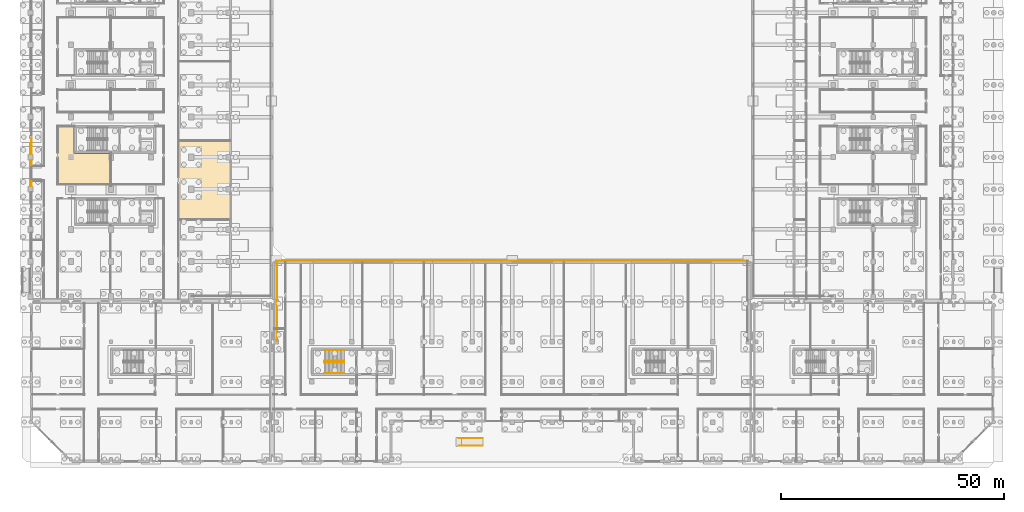
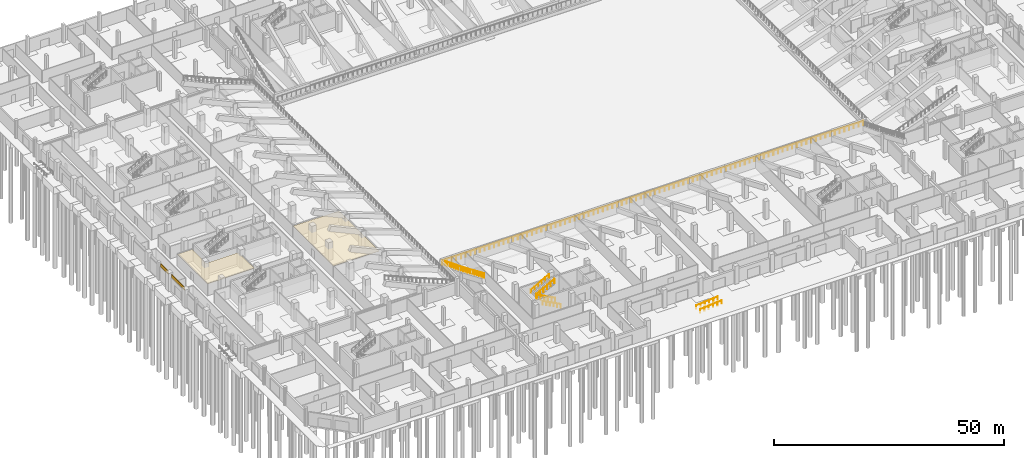
# One storey, part 43 of 53: 7 railings, 4 coverings.
"""IFC4 building model written with IfcOpenShell, lengths in metres."""

from ifc_helpers import new_model, si_unit, direction, frame, origin, origin_2d, place, context, subcontext, project, spatial, polyline, rectangle, circle, outline, extrude, material, layer, layer_set, type_object, element, save


model = new_model("IFC4")

# Units and contexts
model_context = context("Model", 3, precision=1e-05, world=origin(), true_north=direction((0.0, 1.0)))
body_context = subcontext(model_context, "Body", "Model", "MODEL_VIEW")
ifc_project = project(units=[si_unit("LENGTHUNIT", "METRE"), si_unit("AREAUNIT", "SQUARE_METRE"), si_unit("VOLUMEUNIT", "CUBIC_METRE"), si_unit("PLANEANGLEUNIT", "RADIAN"), si_unit("MASSUNIT", "GRAM", prefix="KILO"), si_unit("THERMODYNAMICTEMPERATUREUNIT", "KELVIN"), si_unit("POWERUNIT", "WATT")], contexts=[model_context])

# Site, building, storey
site_placement = place(None, origin())
site = spatial("IfcSite", under=ifc_project, at=site_placement, CompositionType="ELEMENT")
building_placement = place(site_placement, origin())
building = spatial("IfcBuilding", under=site, at=building_placement, Name="Sindhuravela Promenade Stadium", CompositionType="ELEMENT")
storey_placement = place(building_placement, origin())
storey = spatial("IfcBuildingStorey", under=building, at=storey_placement, Name="L00", CompositionType="ELEMENT", Elevation=0.0)

# Coverings
ifc_material_1 = material(Name="Acoustic mineral-fibre ceiling tile", Category="gypsum")
ifc_layer_1 = layer(ifc_material_1, 0.02490234375)
ifc_layer_set_1 = layer_set([ifc_layer_1], Name="Acoustic mineral-fibre ceiling tile")
covering_type_1 = type_object("IfcCoveringType", Name="CV-CEIL-1", PredefinedType="CEILING", material=ifc_layer_set_1)
covering_1_placement = place(storey_placement, frame((0.0, 0.0, 3.050048828125)))
element("IfcCovering", 1, at=covering_1_placement, inside=storey, type_object=covering_type_1, Name="Acoustic ceiling Indoor Player Warm-Up Hall", PredefinedType="CEILING", context=body_context, shape_type="SweptSolid", body=[
    extrude(outline(polyline([(44.699951171875, 54.4619140625), (44.699951171875, 54.4599609375), (44.69970703125, 54.4580078125), (44.69921875, 54.456298828125), (44.698486328125, 54.454345703125), (44.697509765625, 54.45263671875), (44.696533203125, 54.450927734375), (44.695556640625, 54.44921875), (44.694091796875, 54.447998046875), (44.692626953125, 54.446533203125), (44.691162109375, 54.4453125), (44.689453125, 54.4443359375), (44.687744140625, 54.443603515625), (44.685791015625, 54.44287109375), (44.683837890625, 54.4423828125), (44.681884765625, 54.442138671875), (44.679931640625, 54.44189453125), (33.139892578125, 54.44189453125), (33.137939453125, 54.442138671875), (33.135986328125, 54.4423828125), (33.13427734375, 54.44287109375), (33.13232421875, 54.443603515625), (33.130615234375, 54.4443359375), (33.12890625, 54.4453125), (33.127197265625, 54.446533203125), (33.1259765625, 54.447998046875), (33.12451171875, 54.44921875), (33.123291015625, 54.450927734375), (33.122314453125, 54.45263671875), (33.12158203125, 54.454345703125), (33.120849609375, 54.456298828125), (33.120361328125, 54.4580078125), (33.1201171875, 54.4599609375), (33.1201171875, 54.4619140625), (33.1201171875, 71.993896484375), (33.1201171875, 71.99609375), (33.120361328125, 71.997802734375), (33.120849609375, 71.999755859375), (33.12158203125, 72.001708984375), (33.122314453125, 72.00341796875), (33.123291015625, 72.005126953125), (33.12451171875, 72.006591796875), (33.1259765625, 72.008056640625), (33.127197265625, 72.009521484375), (33.12890625, 72.010498046875), (33.130615234375, 72.01171875), (33.13232421875, 72.012451171875), (33.13427734375, 72.01318359375), (33.135986328125, 72.013671875), (33.137939453125, 72.013916015625), (33.139892578125, 72.013916015625), (44.679931640625, 72.013916015625), (44.681884765625, 72.013916015625), (44.683837890625, 72.013671875), (44.685791015625, 72.01318359375), (44.687744140625, 72.012451171875), (44.689453125, 72.01171875), (44.691162109375, 72.010498046875), (44.692626953125, 72.009521484375), (44.694091796875, 72.008056640625), (44.695556640625, 72.006591796875), (44.696533203125, 72.005126953125), (44.697509765625, 72.00341796875), (44.698486328125, 72.001708984375), (44.69921875, 71.999755859375), (44.69970703125, 71.997802734375), (44.699951171875, 71.99609375), (44.699951171875, 71.993896484375), (44.699951171875, 54.4619140625)])), origin(), (0.0, 0.0, 1.0), 0.02490234375),
])
ifc_layer_2 = layer(ifc_material_1, 0.044921875)
ifc_layer_set_2 = layer_set([ifc_layer_2], Name="Acoustic mineral-fibre ceiling tile")
covering_type_2 = type_object("IfcCoveringType", Name="CV-CEIL-2", PredefinedType="CEILING", material=ifc_layer_set_2)
covering_2_placement = place(storey_placement, frame((0.0, 0.0, 3.050048828125)))
element("IfcCovering", 2, at=covering_2_placement, inside=storey, type_object=covering_type_2, Name="Acoustic ceiling Team Shower and Sanitary Block", PredefinedType="CEILING", context=body_context, shape_type="SweptSolid", body=[
    extrude(outline(polyline([(6.0400390625, 62.27001953125), (6.0380859375, 62.27001953125), (6.0361328125, 62.2705078125), (6.0341796875, 62.27099609375), (6.0322265625, 62.271484375), (6.030517578125, 62.2724609375), (6.02880859375, 62.2734375), (6.02734375, 62.2744140625), (6.02587890625, 62.27587890625), (6.0244140625, 62.27734375), (6.0234375, 62.27880859375), (6.0224609375, 62.280517578125), (6.021484375, 62.2822265625), (6.02099609375, 62.2841796875), (6.0205078125, 62.2861328125), (6.02001953125, 62.2880859375), (6.02001953125, 62.2900390625), (6.02001953125, 75.31005859375), (6.02001953125, 75.31201171875), (6.0205078125, 75.31396484375), (6.02099609375, 75.31591796875), (6.021484375, 75.317626953125), (6.0224609375, 75.3193359375), (6.0234375, 75.321044921875), (6.0244140625, 75.32275390625), (6.02587890625, 75.32421875), (6.02734375, 75.325439453125), (6.02880859375, 75.32666015625), (6.030517578125, 75.32763671875), (6.0322265625, 75.32861328125), (6.0341796875, 75.3291015625), (6.0361328125, 75.32958984375), (6.0380859375, 75.329833984375), (6.0400390625, 75.330078125), (9.699951171875, 75.330078125), (9.701904296875, 75.329833984375), (9.703857421875, 75.32958984375), (9.705810546875, 75.3291015625), (9.707763671875, 75.32861328125), (9.70947265625, 75.32763671875), (9.711181640625, 75.32666015625), (9.712646484375, 75.325439453125), (9.714111328125, 75.32421875), (9.715576171875, 75.32275390625), (9.716552734375, 75.321044921875), (9.717529296875, 75.3193359375), (9.718505859375, 75.317626953125), (9.718994140625, 75.31591796875), (9.719482421875, 75.31396484375), (9.719970703125, 75.31201171875), (9.719970703125, 75.31005859375), (9.719970703125, 69.219970703125), (17.830078125, 69.219970703125), (17.83203125, 69.219970703125), (17.833984375, 69.219482421875), (17.835693359375, 69.218994140625), (17.837646484375, 69.218505859375), (17.83935546875, 69.217529296875), (17.841064453125, 69.216552734375), (17.8427734375, 69.215576171875), (17.843994140625, 69.214111328125), (17.845458984375, 69.212646484375), (17.8466796875, 69.211181640625), (17.84765625, 69.20947265625), (17.848388671875, 69.207763671875), (17.84912109375, 69.205810546875), (17.849609375, 69.203857421875), (17.849853515625, 69.201904296875), (17.85009765625, 69.199951171875), (17.85009765625, 62.2900390625), (17.849853515625, 62.2880859375), (17.849609375, 62.2861328125), (17.84912109375, 62.2841796875), (17.848388671875, 62.2822265625), (17.84765625, 62.280517578125), (17.8466796875, 62.27880859375), (17.845458984375, 62.27734375), (17.843994140625, 62.27587890625), (17.8427734375, 62.2744140625), (17.841064453125, 62.2734375), (17.83935546875, 62.2724609375), (17.837646484375, 62.271484375), (17.835693359375, 62.27099609375), (17.833984375, 62.2705078125), (17.83203125, 62.27001953125), (17.830078125, 62.27001953125), (6.0400390625, 62.27001953125)])), origin(), (0.0, 0.0, 1.0), 0.044921875),
])
ifc_material_2 = material(Name="Polychrome trencadis ceramic mosaic", Category="masonry")
ifc_layer_3 = layer(ifc_material_2, 0.034912109375)
ifc_layer_set_3 = layer_set([ifc_layer_3], Name="Polychrome trencadis ceramic mosaic")
covering_type_3 = type_object("IfcCoveringType", Name="CV-TRENC-1", PredefinedType="CLADDING", material=ifc_layer_set_3)
covering_3_placement = place(storey_placement, frame((0.179931640625, 64.800048828125, 3.55517578125), z_axis=(0.0, 0.0, 1.0), x_axis=(0.0, 1.0, 0.0)))
element("IfcCovering", 3, at=covering_3_placement, inside=storey, type_object=covering_type_3, Name="Trencadis ceramic mosaic spandrel frieze WEST L00-4", PredefinedType="CLADDING", context=body_context, shape_type="SweptSolid", body=[
    extrude(rectangle(XDim=5.77001953125, YDim=0.034912109375, at=origin_2d()), origin(), (0.0, 0.0, 1.0), 0.905029296875),
])
ifc_layer_4 = layer(ifc_material_2, 0.050048828125)
ifc_layer_set_4 = layer_set([ifc_layer_4], Name="Polychrome trencadis ceramic mosaic")
covering_type_4 = type_object("IfcCoveringType", Name="CV-TRENC-2", PredefinedType="CLADDING", material=ifc_layer_set_4)
covering_4_placement = place(storey_placement, frame((0.179931640625, 70.800048828125, 3.55517578125), z_axis=(0.0, 0.0, 1.0), x_axis=(0.0, 1.0, 0.0)))
element("IfcCovering", 4, at=covering_4_placement, inside=storey, type_object=covering_type_4, Name="Trencadis ceramic mosaic spandrel frieze WEST L00-5", PredefinedType="CLADDING", context=body_context, shape_type="SweptSolid", body=[
    extrude(rectangle(XDim=3.3701171875, YDim=0.050048828125, at=origin_2d()), origin(), (0.0, 0.0, 1.0), 0.905029296875),
])

# Railings
ifc_material_3 = material(Name="Architectural wrought steel E350", Category="steel")
railing_type_1 = type_object("IfcRailingType", Name="RL-GRD-1150", PredefinedType="GUARDRAIL", material=ifc_material_3)
railing_1_placement = place(storey_placement, frame((55.10009765625, 45.10009765625, 1.449951171875)))
element("IfcRailing", 5, at=railing_1_placement, inside=storey, type_object=railing_type_1, Name="Stand bowl crowd barrier GR01-97", PredefinedType="GUARDRAIL", context=body_context, shape_type="SweptSolid", body=[
    extrude(circle(Radius=0.02392578125, at=origin_2d()), frame((0.0, 0.0, 1.1259765625), z_axis=(1.0, 0.0, 0.0), x_axis=(0.0, 1.0, 0.0)), (0.0, 0.0, 1.0), 105.7998046875),
    extrude(circle(Radius=0.02099609375, at=origin_2d()), origin(), (0.0, 0.0, 1.0), 1.101806640625),
    extrude(circle(Radius=0.02099609375, at=origin_2d()), frame((1.188720703125, 0.0, 0.0)), (0.0, 0.0, 1.0), 1.101806640625),
    extrude(circle(Radius=0.02099609375, at=origin_2d()), frame((2.37744140625, 0.0, 0.0)), (0.0, 0.0, 1.0), 1.101806640625),
    extrude(circle(Radius=0.02099609375, at=origin_2d()), frame((3.56640625, 0.0, 0.0)), (0.0, 0.0, 1.0), 1.101806640625),
    extrude(circle(Radius=0.02099609375, at=origin_2d()), frame((4.755126953125, 0.0, 0.0)), (0.0, 0.0, 1.0), 1.101806640625),
    extrude(circle(Radius=0.02099609375, at=origin_2d()), frame((5.94384765625, 0.0, 0.0)), (0.0, 0.0, 1.0), 1.101806640625),
    extrude(circle(Radius=0.02099609375, at=origin_2d()), frame((7.132568359375, 0.0, 0.0)), (0.0, 0.0, 1.0), 1.101806640625),
    extrude(circle(Radius=0.02099609375, at=origin_2d()), frame((8.3212890625, 0.0, 0.0)), (0.0, 0.0, 1.0), 1.101806640625),
    extrude(circle(Radius=0.02099609375, at=origin_2d()), frame((9.510009765625, 0.0, 0.0)), (0.0, 0.0, 1.0), 1.101806640625),
    extrude(circle(Radius=0.02099609375, at=origin_2d()), frame((10.698974609375, 0.0, 0.0)), (0.0, 0.0, 1.0), 1.101806640625),
    extrude(circle(Radius=0.02099609375, at=origin_2d()), frame((11.8876953125, 0.0, 0.0)), (0.0, 0.0, 1.0), 1.101806640625),
    extrude(circle(Radius=0.02099609375, at=origin_2d()), frame((13.076416015625, 0.0, 0.0)), (0.0, 0.0, 1.0), 1.101806640625),
    extrude(circle(Radius=0.02099609375, at=origin_2d()), frame((14.26513671875, 0.0, 0.0)), (0.0, 0.0, 1.0), 1.101806640625),
    extrude(circle(Radius=0.02099609375, at=origin_2d()), frame((15.453857421875, 0.0, 0.0)), (0.0, 0.0, 1.0), 1.101806640625),
    extrude(circle(Radius=0.02099609375, at=origin_2d()), frame((16.642578125, 0.0, 0.0)), (0.0, 0.0, 1.0), 1.101806640625),
    extrude(circle(Radius=0.02099609375, at=origin_2d()), frame((17.83154296875, 0.0, 0.0)), (0.0, 0.0, 1.0), 1.101806640625),
    extrude(circle(Radius=0.02099609375, at=origin_2d()), frame((19.020263671875, 0.0, 0.0)), (0.0, 0.0, 1.0), 1.101806640625),
    extrude(circle(Radius=0.02099609375, at=origin_2d()), frame((20.208984375, 0.0, 0.0)), (0.0, 0.0, 1.0), 1.101806640625),
    extrude(circle(Radius=0.02099609375, at=origin_2d()), frame((21.397705078125, 0.0, 0.0)), (0.0, 0.0, 1.0), 1.101806640625),
    extrude(circle(Radius=0.02099609375, at=origin_2d()), frame((22.58642578125, 0.0, 0.0)), (0.0, 0.0, 1.0), 1.101806640625),
    extrude(circle(Radius=0.02099609375, at=origin_2d()), frame((23.775146484375, 0.0, 0.0)), (0.0, 0.0, 1.0), 1.101806640625),
    extrude(circle(Radius=0.02099609375, at=origin_2d()), frame((24.964111328125, 0.0, 0.0)), (0.0, 0.0, 1.0), 1.101806640625),
    extrude(circle(Radius=0.02099609375, at=origin_2d()), frame((26.15283203125, 0.0, 0.0)), (0.0, 0.0, 1.0), 1.101806640625),
    extrude(circle(Radius=0.02099609375, at=origin_2d()), frame((27.341552734375, 0.0, 0.0)), (0.0, 0.0, 1.0), 1.101806640625),
    extrude(circle(Radius=0.02099609375, at=origin_2d()), frame((28.5302734375, 0.0, 0.0)), (0.0, 0.0, 1.0), 1.101806640625),
    extrude(circle(Radius=0.02099609375, at=origin_2d()), frame((29.718994140625, 0.0, 0.0)), (0.0, 0.0, 1.0), 1.101806640625),
    extrude(circle(Radius=0.02099609375, at=origin_2d()), frame((30.90771484375, 0.0, 0.0)), (0.0, 0.0, 1.0), 1.101806640625),
    extrude(circle(Radius=0.02099609375, at=origin_2d()), frame((32.0966796875, 0.0, 0.0)), (0.0, 0.0, 1.0), 1.101806640625),
    extrude(circle(Radius=0.02099609375, at=origin_2d()), frame((33.285400390625, 0.0, 0.0)), (0.0, 0.0, 1.0), 1.101806640625),
    extrude(circle(Radius=0.02099609375, at=origin_2d()), frame((34.47412109375, 0.0, 0.0)), (0.0, 0.0, 1.0), 1.101806640625),
    extrude(circle(Radius=0.02099609375, at=origin_2d()), frame((35.662841796875, 0.0, 0.0)), (0.0, 0.0, 1.0), 1.101806640625),
    extrude(circle(Radius=0.02099609375, at=origin_2d()), frame((36.8515625, 0.0, 0.0)), (0.0, 0.0, 1.0), 1.101806640625),
    extrude(circle(Radius=0.02099609375, at=origin_2d()), frame((38.040283203125, 0.0, 0.0)), (0.0, 0.0, 1.0), 1.101806640625),
    extrude(circle(Radius=0.02099609375, at=origin_2d()), frame((39.229248046875, 0.0, 0.0)), (0.0, 0.0, 1.0), 1.101806640625),
    extrude(circle(Radius=0.02099609375, at=origin_2d()), frame((40.41796875, 0.0, 0.0)), (0.0, 0.0, 1.0), 1.101806640625),
    extrude(circle(Radius=0.02099609375, at=origin_2d()), frame((41.606689453125, 0.0, 0.0)), (0.0, 0.0, 1.0), 1.101806640625),
    extrude(circle(Radius=0.02099609375, at=origin_2d()), frame((42.79541015625, 0.0, 0.0)), (0.0, 0.0, 1.0), 1.101806640625),
    extrude(circle(Radius=0.02099609375, at=origin_2d()), frame((43.984130859375, 0.0, 0.0)), (0.0, 0.0, 1.0), 1.101806640625),
    extrude(circle(Radius=0.02099609375, at=origin_2d()), frame((45.1728515625, 0.0, 0.0)), (0.0, 0.0, 1.0), 1.101806640625),
    extrude(circle(Radius=0.02099609375, at=origin_2d()), frame((46.36181640625, 0.0, 0.0)), (0.0, 0.0, 1.0), 1.101806640625),
    extrude(circle(Radius=0.02099609375, at=origin_2d()), frame((47.550537109375, 0.0, 0.0)), (0.0, 0.0, 1.0), 1.101806640625),
    extrude(circle(Radius=0.02099609375, at=origin_2d()), frame((48.7392578125, 0.0, 0.0)), (0.0, 0.0, 1.0), 1.101806640625),
    extrude(circle(Radius=0.02099609375, at=origin_2d()), frame((49.927978515625, 0.0, 0.0)), (0.0, 0.0, 1.0), 1.101806640625),
    extrude(circle(Radius=0.02099609375, at=origin_2d()), frame((51.11669921875, 0.0, 0.0)), (0.0, 0.0, 1.0), 1.101806640625),
    extrude(circle(Radius=0.02099609375, at=origin_2d()), frame((52.305419921875, 0.0, 0.0)), (0.0, 0.0, 1.0), 1.101806640625),
    extrude(circle(Radius=0.02099609375, at=origin_2d()), frame((53.494384765625, 0.0, 0.0)), (0.0, 0.0, 1.0), 1.101806640625),
    extrude(circle(Radius=0.02099609375, at=origin_2d()), frame((54.68310546875, 0.0, 0.0)), (0.0, 0.0, 1.0), 1.101806640625),
    extrude(circle(Radius=0.02099609375, at=origin_2d()), frame((55.871826171875, 0.0, 0.0)), (0.0, 0.0, 1.0), 1.101806640625),
    extrude(circle(Radius=0.02099609375, at=origin_2d()), frame((57.060546875, 0.0, 0.0)), (0.0, 0.0, 1.0), 1.101806640625),
    extrude(circle(Radius=0.02099609375, at=origin_2d()), frame((58.249267578125, 0.0, 0.0)), (0.0, 0.0, 1.0), 1.101806640625),
    extrude(circle(Radius=0.02099609375, at=origin_2d()), frame((59.43798828125, 0.0, 0.0)), (0.0, 0.0, 1.0), 1.101806640625),
    extrude(circle(Radius=0.02099609375, at=origin_2d()), frame((60.626953125, 0.0, 0.0)), (0.0, 0.0, 1.0), 1.101806640625),
    extrude(circle(Radius=0.02099609375, at=origin_2d()), frame((61.815673828125, 0.0, 0.0)), (0.0, 0.0, 1.0), 1.101806640625),
    extrude(circle(Radius=0.02099609375, at=origin_2d()), frame((63.00439453125, 0.0, 0.0)), (0.0, 0.0, 1.0), 1.101806640625),
    extrude(circle(Radius=0.02099609375, at=origin_2d()), frame((64.193115234375, 0.0, 0.0)), (0.0, 0.0, 1.0), 1.101806640625),
    extrude(circle(Radius=0.02099609375, at=origin_2d()), frame((65.3818359375, 0.0, 0.0)), (0.0, 0.0, 1.0), 1.101806640625),
    extrude(circle(Radius=0.02099609375, at=origin_2d()), frame((66.570556640625, 0.0, 0.0)), (0.0, 0.0, 1.0), 1.101806640625),
    extrude(circle(Radius=0.02099609375, at=origin_2d()), frame((67.759521484375, 0.0, 0.0)), (0.0, 0.0, 1.0), 1.101806640625),
    extrude(circle(Radius=0.02099609375, at=origin_2d()), frame((68.9482421875, 0.0, 0.0)), (0.0, 0.0, 1.0), 1.101806640625),
    extrude(circle(Radius=0.02099609375, at=origin_2d()), frame((70.136962890625, 0.0, 0.0)), (0.0, 0.0, 1.0), 1.101806640625),
    extrude(circle(Radius=0.02099609375, at=origin_2d()), frame((71.32568359375, 0.0, 0.0)), (0.0, 0.0, 1.0), 1.101806640625),
    extrude(circle(Radius=0.02099609375, at=origin_2d()), frame((72.514404296875, 0.0, 0.0)), (0.0, 0.0, 1.0), 1.101806640625),
    extrude(circle(Radius=0.02099609375, at=origin_2d()), frame((73.703125, 0.0, 0.0)), (0.0, 0.0, 1.0), 1.101806640625),
    extrude(circle(Radius=0.02099609375, at=origin_2d()), frame((74.89208984375, 0.0, 0.0)), (0.0, 0.0, 1.0), 1.101806640625),
    extrude(circle(Radius=0.02099609375, at=origin_2d()), frame((76.080810546875, 0.0, 0.0)), (0.0, 0.0, 1.0), 1.101806640625),
    extrude(circle(Radius=0.02099609375, at=origin_2d()), frame((77.26953125, 0.0, 0.0)), (0.0, 0.0, 1.0), 1.101806640625),
    extrude(circle(Radius=0.02099609375, at=origin_2d()), frame((78.458251953125, 0.0, 0.0)), (0.0, 0.0, 1.0), 1.101806640625),
    extrude(circle(Radius=0.02099609375, at=origin_2d()), frame((79.64697265625, 0.0, 0.0)), (0.0, 0.0, 1.0), 1.101806640625),
    extrude(circle(Radius=0.02099609375, at=origin_2d()), frame((80.835693359375, 0.0, 0.0)), (0.0, 0.0, 1.0), 1.101806640625),
    extrude(circle(Radius=0.02099609375, at=origin_2d()), frame((82.024658203125, 0.0, 0.0)), (0.0, 0.0, 1.0), 1.101806640625),
    extrude(circle(Radius=0.02099609375, at=origin_2d()), frame((83.21337890625, 0.0, 0.0)), (0.0, 0.0, 1.0), 1.101806640625),
    extrude(circle(Radius=0.02099609375, at=origin_2d()), frame((84.402099609375, 0.0, 0.0)), (0.0, 0.0, 1.0), 1.101806640625),
    extrude(circle(Radius=0.02099609375, at=origin_2d()), frame((85.5908203125, 0.0, 0.0)), (0.0, 0.0, 1.0), 1.101806640625),
    extrude(circle(Radius=0.02099609375, at=origin_2d()), frame((86.779541015625, 0.0, 0.0)), (0.0, 0.0, 1.0), 1.101806640625),
    extrude(circle(Radius=0.02099609375, at=origin_2d()), frame((87.96826171875, 0.0, 0.0)), (0.0, 0.0, 1.0), 1.101806640625),
    extrude(circle(Radius=0.02099609375, at=origin_2d()), frame((89.1572265625, 0.0, 0.0)), (0.0, 0.0, 1.0), 1.101806640625),
    extrude(circle(Radius=0.02099609375, at=origin_2d()), frame((90.345947265625, 0.0, 0.0)), (0.0, 0.0, 1.0), 1.101806640625),
    extrude(circle(Radius=0.02099609375, at=origin_2d()), frame((91.53466796875, 0.0, 0.0)), (0.0, 0.0, 1.0), 1.101806640625),
    extrude(circle(Radius=0.02099609375, at=origin_2d()), frame((92.723388671875, 0.0, 0.0)), (0.0, 0.0, 1.0), 1.101806640625),
    extrude(circle(Radius=0.02099609375, at=origin_2d()), frame((93.912109375, 0.0, 0.0)), (0.0, 0.0, 1.0), 1.101806640625),
    extrude(circle(Radius=0.02099609375, at=origin_2d()), frame((95.100830078125, 0.0, 0.0)), (0.0, 0.0, 1.0), 1.101806640625),
    extrude(circle(Radius=0.02099609375, at=origin_2d()), frame((96.289794921875, 0.0, 0.0)), (0.0, 0.0, 1.0), 1.101806640625),
    extrude(circle(Radius=0.02099609375, at=origin_2d()), frame((97.478515625, 0.0, 0.0)), (0.0, 0.0, 1.0), 1.101806640625),
    extrude(circle(Radius=0.02099609375, at=origin_2d()), frame((98.667236328125, 0.0, 0.0)), (0.0, 0.0, 1.0), 1.101806640625),
    extrude(circle(Radius=0.02099609375, at=origin_2d()), frame((99.85595703125, 0.0, 0.0)), (0.0, 0.0, 1.0), 1.101806640625),
    extrude(circle(Radius=0.02099609375, at=origin_2d()), frame((101.044677734375, 0.0, 0.0)), (0.0, 0.0, 1.0), 1.101806640625),
    extrude(circle(Radius=0.02099609375, at=origin_2d()), frame((102.2333984375, 0.0, 0.0)), (0.0, 0.0, 1.0), 1.101806640625),
    extrude(circle(Radius=0.02099609375, at=origin_2d()), frame((103.42236328125, 0.0, 0.0)), (0.0, 0.0, 1.0), 1.101806640625),
    extrude(circle(Radius=0.02099609375, at=origin_2d()), frame((104.611083984375, 0.0, 0.0)), (0.0, 0.0, 1.0), 1.101806640625),
    extrude(circle(Radius=0.02099609375, at=origin_2d()), frame((105.7998046875, 0.0, 0.0)), (0.0, 0.0, 1.0), 1.101806640625),
])
railing_2_placement = place(storey_placement, frame((55.25, 45.10009765625, 1.449951171875)))
element("IfcRailing", 6, at=railing_2_placement, inside=storey, type_object=railing_type_1, Name="Stand bowl crowd barrier GR01-99", PredefinedType="GUARDRAIL", context=body_context, shape_type="SweptSolid", body=[
    extrude(circle(Radius=0.02392578125, at=origin_2d()), frame((0.0, 0.0, 1.1259765625), z_axis=(0.0, -0.9302463636097077, 0.3669355570000206), x_axis=(1.0, 0.0, 0.0)), (0.0, 0.0, 1.0), 9.6748046875),
    extrude(circle(Radius=0.02392578125, at=origin_2d()), frame((0.0, -9.0, 4.67578125), z_axis=(0.0, -0.9186127990796654, 0.3951588609243405), x_axis=(1.0, 0.0, 0.0)), (0.0, 0.0, 1.0), 9.7431640625),
    extrude(circle(Radius=0.02099609375, at=origin_2d()), origin(), (0.0, 0.0, 1.0), 1.101806640625),
    extrude(circle(Radius=0.02099609375, at=origin_2d()), frame((0.0, -1.0, 0.39453125)), (0.0, 0.0, 1.0), 1.101806640625),
    extrude(circle(Radius=0.02099609375, at=origin_2d()), frame((0.0, -2.0, 0.788818359375)), (0.0, 0.0, 1.0), 1.101806640625),
    extrude(circle(Radius=0.02099609375, at=origin_2d()), frame((0.0, -3.0, 1.183349609375)), (0.0, 0.0, 1.0), 1.101806640625),
    extrude(circle(Radius=0.02099609375, at=origin_2d()), frame((0.0, -4.0, 1.577880859375)), (0.0, 0.0, 1.0), 1.101806640625),
    extrude(circle(Radius=0.02099609375, at=origin_2d()), frame((0.0, -5.0, 1.97216796875)), (0.0, 0.0, 1.0), 1.101806640625),
    extrude(circle(Radius=0.02099609375, at=origin_2d()), frame((0.0, -6.0, 2.36669921875)), (0.0, 0.0, 1.0), 1.101806640625),
    extrude(circle(Radius=0.02099609375, at=origin_2d()), frame((0.0, -7.0, 2.76123046875)), (0.0, 0.0, 1.0), 1.101806640625),
    extrude(circle(Radius=0.02099609375, at=origin_2d()), frame((0.0, -8.0, 3.155517578125)), (0.0, 0.0, 1.0), 1.101806640625),
    extrude(circle(Radius=0.02099609375, at=origin_2d()), frame((0.0, -9.0, 3.550048828125)), (0.0, 0.0, 1.0), 1.101806640625),
    extrude(circle(Radius=0.02099609375, at=origin_2d()), frame((0.0, -9.994384765625, 3.977783203125)), (0.0, 0.0, 1.0), 1.101806640625),
    extrude(circle(Radius=0.02099609375, at=origin_2d()), frame((0.0, -10.989013671875, 4.405517578125)), (0.0, 0.0, 1.0), 1.101806640625),
    extrude(circle(Radius=0.02099609375, at=origin_2d()), frame((0.0, -11.9833984375, 4.83349609375)), (0.0, 0.0, 1.0), 1.101806640625),
    extrude(circle(Radius=0.02099609375, at=origin_2d()), frame((0.0, -12.977783203125, 5.26123046875)), (0.0, 0.0, 1.0), 1.101806640625),
    extrude(circle(Radius=0.02099609375, at=origin_2d()), frame((0.0, -13.972412109375, 5.68896484375)), (0.0, 0.0, 1.0), 1.101806640625),
    extrude(circle(Radius=0.02099609375, at=origin_2d()), frame((0.0, -14.966796875, 6.11669921875)), (0.0, 0.0, 1.0), 1.101806640625),
    extrude(circle(Radius=0.02099609375, at=origin_2d()), frame((0.0, -15.961181640625, 6.544677734375)), (0.0, 0.0, 1.0), 1.101806640625),
    extrude(circle(Radius=0.02099609375, at=origin_2d()), frame((0.0, -16.955810546875, 6.972412109375)), (0.0, 0.0, 1.0), 1.101806640625),
    extrude(circle(Radius=0.02099609375, at=origin_2d()), frame((0.0, -17.9501953125, 7.400146484375)), (0.0, 0.0, 1.0), 1.101806640625),
])
railing_3_placement = place(storey_placement, frame((70.35009765625, 22.31005859375, 0.0)))
element("IfcRailing", 7, at=railing_3_placement, inside=storey, type_object=railing_type_1, Name="Stair ST11 inner well guard (L00)", PredefinedType="GUARDRAIL", context=body_context, shape_type="SweptSolid", body=[
    extrude(circle(Radius=0.02392578125, at=origin_2d()), frame((0.0, 0.0, 1.1259765625), z_axis=(-0.8836546633431795, 0.0, 0.46813933390802775), x_axis=(0.0, -1.0, 0.0)), (0.0, 0.0, 1.0), 5.12646484375),
    extrude(circle(Radius=0.02392578125, at=origin_2d()), frame((-4.530029296875, 0.0, 3.52587890625), z_axis=(0.0, 1.0, 0.0), x_axis=(-1.0, 0.0, 0.0)), (0.0, 0.0, 1.0), 0.3798828125),
    extrude(circle(Radius=0.02392578125, at=origin_2d()), frame((-4.530029296875, 0.3798828125, 3.52587890625), z_axis=(0.8836349624059475, 0.0, 0.46817651928929505), x_axis=(0.0, 1.0, 0.0)), (0.0, 0.0, 1.0), 5.12646484375),
    extrude(circle(Radius=0.02099609375, at=origin_2d()), origin(), (0.0, 0.0, 1.0), 1.101806640625),
    extrude(circle(Radius=0.02099609375, at=origin_2d()), frame((-0.906005859375, 0.0, 0.47998046875)), (0.0, 0.0, 1.0), 1.101806640625),
    extrude(circle(Radius=0.02099609375, at=origin_2d()), frame((-1.81201171875, 0.0, 0.9599609375)), (0.0, 0.0, 1.0), 1.101806640625),
    extrude(circle(Radius=0.02099609375, at=origin_2d()), frame((-2.718017578125, 0.0, 1.43994140625)), (0.0, 0.0, 1.0), 1.101806640625),
    extrude(circle(Radius=0.02099609375, at=origin_2d()), frame((-3.6240234375, 0.0, 1.919921875)), (0.0, 0.0, 1.0), 1.101806640625),
    extrude(circle(Radius=0.02099609375, at=origin_2d()), frame((-4.530029296875, 0.0, 2.39990234375)), (0.0, 0.0, 1.0), 1.101806640625),
    extrude(circle(Radius=0.02099609375, at=origin_2d()), frame((-4.530029296875, 0.3798828125, 2.39990234375)), (0.0, 0.0, 1.0), 1.101806640625),
    extrude(circle(Radius=0.02099609375, at=origin_2d()), frame((-3.6240234375, 0.3798828125, 2.8798828125)), (0.0, 0.0, 1.0), 1.101806640625),
    extrude(circle(Radius=0.02099609375, at=origin_2d()), frame((-2.718017578125, 0.3798828125, 3.35986328125)), (0.0, 0.0, 1.0), 1.101806640625),
    extrude(circle(Radius=0.02099609375, at=origin_2d()), frame((-1.81201171875, 0.3798828125, 3.840087890625)), (0.0, 0.0, 1.0), 1.101806640625),
    extrude(circle(Radius=0.02099609375, at=origin_2d()), frame((-0.906005859375, 0.3798828125, 4.320068359375)), (0.0, 0.0, 1.0), 1.101806640625),
    extrude(circle(Radius=0.02099609375, at=origin_2d()), frame((0.0, 0.3798828125, 4.800048828125)), (0.0, 0.0, 1.0), 1.101806640625),
])
railing_type_2 = type_object("IfcRailingType", Name="RL-HND-920", PredefinedType="HANDRAIL", material=ifc_material_3)
railing_4_placement = place(storey_placement, frame((70.35009765625, 19.919921875, 0.0)))
element("IfcRailing", 8, at=railing_4_placement, inside=storey, type_object=railing_type_2, Name="Stair ST11 lower wall handrail (L00)", PredefinedType="HANDRAIL", context=body_context, shape_type="SweptSolid", body=[
    extrude(circle(Radius=0.02392578125, at=origin_2d()), frame((0.0, 0.0, 0.89599609375), z_axis=(-0.8823608919668723, 0.0, 0.4705733272588083), x_axis=(0.0, -1.0, 0.0)), (0.0, 0.0, 1.0), 5.099853515625),
    extrude(circle(Radius=0.02099609375, at=origin_2d()), origin(), (0.0, 0.0, 1.0), 0.871826171875),
    extrude(circle(Radius=0.02099609375, at=origin_2d()), frame((-0.89990234375, 0.0, 0.47998046875)), (0.0, 0.0, 1.0), 0.871826171875),
    extrude(circle(Radius=0.02099609375, at=origin_2d()), frame((-1.800048828125, 0.0, 0.9599609375)), (0.0, 0.0, 1.0), 0.871826171875),
    extrude(circle(Radius=0.02099609375, at=origin_2d()), frame((-2.699951171875, 0.0, 1.43994140625)), (0.0, 0.0, 1.0), 0.871826171875),
    extrude(circle(Radius=0.02099609375, at=origin_2d()), frame((-3.60009765625, 0.0, 1.919921875)), (0.0, 0.0, 1.0), 0.871826171875),
    extrude(circle(Radius=0.02099609375, at=origin_2d()), frame((-4.5, 0.0, 2.39990234375)), (0.0, 0.0, 1.0), 0.871826171875),
])
railing_5_placement = place(storey_placement, frame((65.85009765625, 25.080078125, 2.39990234375)))
element("IfcRailing", 9, at=railing_5_placement, inside=storey, type_object=railing_type_2, Name="Stair ST11 upper wall handrail (L00)", PredefinedType="HANDRAIL", context=body_context, shape_type="SweptSolid", body=[
    extrude(circle(Radius=0.02392578125, at=origin_2d()), frame((0.0, 0.0, 0.89599609375), z_axis=(0.8823410147872734, 0.0, 0.47061059659145427), x_axis=(0.0, 1.0, 0.0)), (0.0, 0.0, 1.0), 5.10009765625),
    extrude(circle(Radius=0.02099609375, at=origin_2d()), origin(), (0.0, 0.0, 1.0), 0.871826171875),
    extrude(circle(Radius=0.02099609375, at=origin_2d()), frame((0.89990234375, 0.0, 0.47998046875)), (0.0, 0.0, 1.0), 0.871826171875),
    extrude(circle(Radius=0.02099609375, at=origin_2d()), frame((1.800048828125, 0.0, 0.9599609375)), (0.0, 0.0, 1.0), 0.871826171875),
    extrude(circle(Radius=0.02099609375, at=origin_2d()), frame((2.699951171875, 0.0, 1.440185546875)), (0.0, 0.0, 1.0), 0.871826171875),
    extrude(circle(Radius=0.02099609375, at=origin_2d()), frame((3.60009765625, 0.0, 1.920166015625)), (0.0, 0.0, 1.0), 0.871826171875),
    extrude(circle(Radius=0.02099609375, at=origin_2d()), frame((4.5, 0.0, 2.400146484375)), (0.0, 0.0, 1.0), 0.871826171875),
])
for number, where, name in (
    (10, (96.0, 3.659912109375, -0.449951171875), "South civic court step-free ramp handrail 1"),
    (11, (96.0, 5.340087890625, -0.449951171875), "South civic court step-free ramp handrail 2"),
):
    element("IfcRailing", number, at=place(storey_placement, frame(where)), inside=storey, type_object=railing_type_2, Name=name, PredefinedType="HANDRAIL", context=body_context, shape_type="SweptSolid", body=[
        extrude(circle(Radius=0.02392578125, at=origin_2d()), frame((0.0, 0.0, 0.89599609375), z_axis=(0.9965463796776552, 0.0, 0.08303802232326245), x_axis=(0.0, 1.0, 0.0)), (0.0, 0.0, 1.0), 5.418701171875),
        extrude(circle(Radius=0.02099609375, at=origin_2d()), origin(), (0.0, 0.0, 1.0), 0.871826171875),
        extrude(circle(Radius=0.02099609375, at=origin_2d()), frame((1.080078125, 0.0, 0.090087890625)), (0.0, 0.0, 1.0), 0.871826171875),
        extrude(circle(Radius=0.02099609375, at=origin_2d()), frame((2.159912109375, 0.0, 0.179931640625)), (0.0, 0.0, 1.0), 0.871826171875),
        extrude(circle(Radius=0.02099609375, at=origin_2d()), frame((3.239990234375, 0.0, 0.27001953125)), (0.0, 0.0, 1.0), 0.871826171875),
        extrude(circle(Radius=0.02099609375, at=origin_2d()), frame((4.31982421875, 0.0, 0.35986328125)), (0.0, 0.0, 1.0), 0.871826171875),
        extrude(circle(Radius=0.02099609375, at=origin_2d()), frame((5.39990234375, 0.0, 0.449951171875)), (0.0, 0.0, 1.0), 0.871826171875),
    ])

save(model, "model.ifc")
